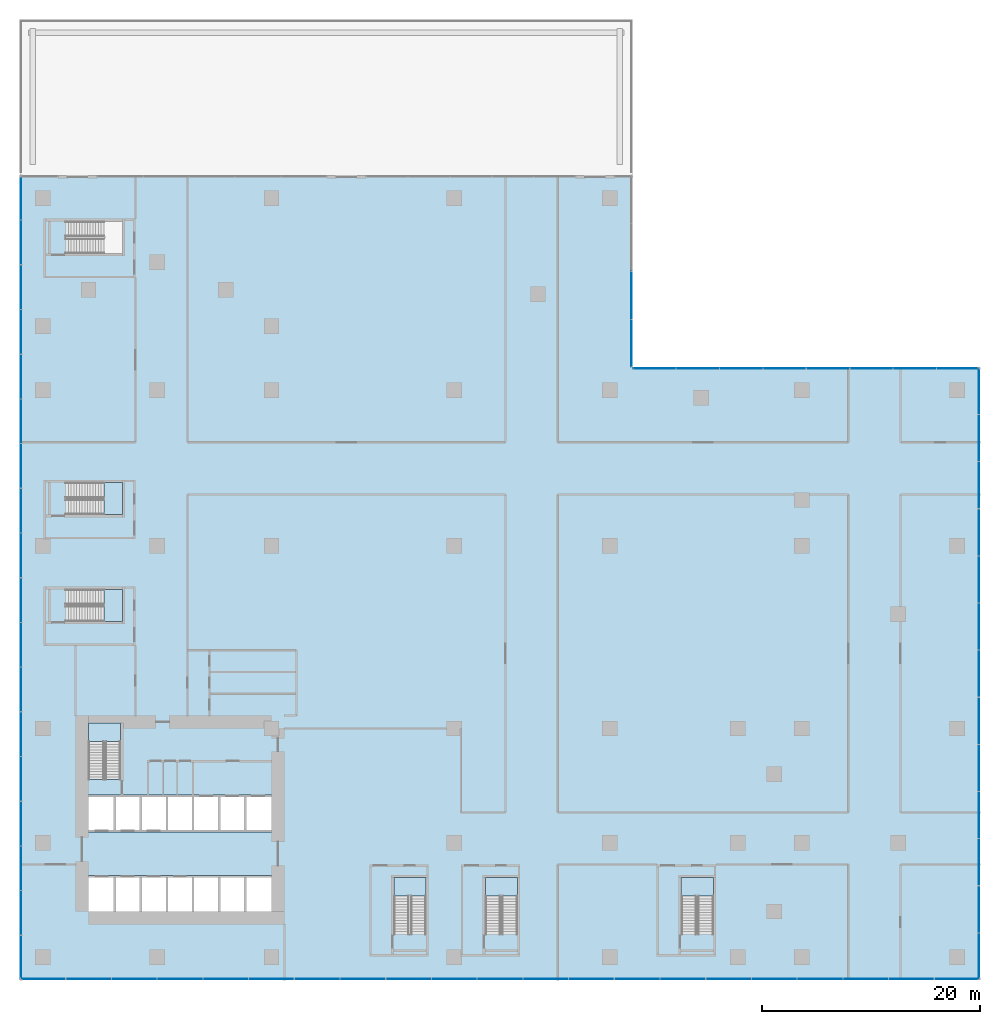
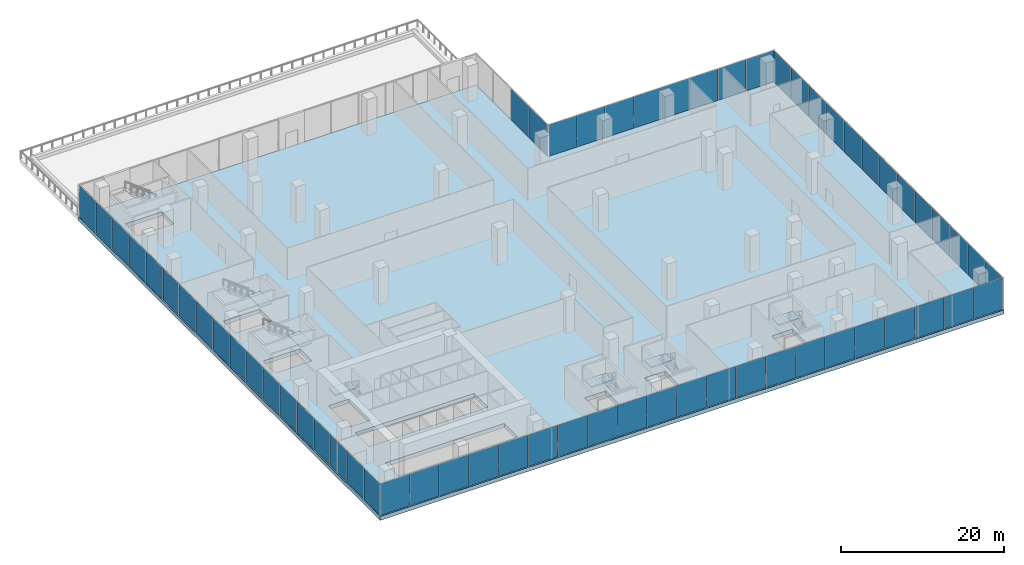
# One storey, part 12 of 24: 62 plates, 7 slabs, 11 elements without a shape of their own.
"""IFC4 building model written with IfcOpenShell, lengths in metres."""

from ifc_helpers import new_model, si_unit, direction, frame, origin, origin_2d, place, context, subcontext, project, spatial, polyline, rectangle, outline, extrude, source, transform, mapped, material, layer, layer_set, type_object, element, aggregate, save


model = new_model("IFC4")

# Units and contexts
model_context = context("Model", 3, precision=1e-05, world=origin(), true_north=direction((0.0, 1.0)))
body_context = subcontext(model_context, "Body", "Model", "MODEL_VIEW")
ifc_project = project(units=[si_unit("LENGTHUNIT", "METRE"), si_unit("AREAUNIT", "SQUARE_METRE"), si_unit("VOLUMEUNIT", "CUBIC_METRE"), si_unit("PLANEANGLEUNIT", "RADIAN"), si_unit("MASSUNIT", "GRAM", prefix="KILO")], contexts=[model_context])

# Site, building, storey
site_placement = place(None, origin())
site = spatial("IfcSite", under=ifc_project, at=site_placement, CompositionType="ELEMENT")
building_placement = place(site_placement, origin())
building = spatial("IfcBuilding", under=site, at=building_placement, Name="Aurelian Terraces", CompositionType="ELEMENT")
storey_placement = place(building_placement, frame((0.0, 0.0, 12.9)))
storey = spatial("IfcBuildingStorey", under=building, at=storey_placement, Name="L02", CompositionType="ELEMENT", Elevation=12.9)

# Slab
ifc_material_1 = material(Name="Concrete fc' 40 MPa", Category="concrete")
ifc_layer_1 = layer(ifc_material_1, 0.6)
ifc_layer_set_1 = layer_set([ifc_layer_1], Name="PT FLAT PLATE 600")
slab_type_1 = type_object("IfcSlabType", Name="PT FLAT PLATE 600", PredefinedType="FLOOR", material=ifc_layer_set_1)
slab_1_placement = place(storey_placement, frame((0.0, 0.0, -0.6)))
element("IfcSlab", 1, at=slab_1_placement, inside=storey, type_object=slab_type_1, Name="Floor slab P L02", PredefinedType="FLOOR", context=body_context, shape_type="SweptSolid", body=[
    extrude(outline(polyline([(86.1, -2.1), (54.18, -2.1), (-2.1, -2.1), (-2.1, 54.18), (-2.1, 71.82), (54.18, 71.82), (54.18, 54.18), (86.1, 54.18), (86.1, -2.1)]), holes=[polyline([(58.66, 7.29), (58.66, 2.11), (61.59, 2.11), (61.59, 7.29), (58.66, 7.29)]), polyline([(40.66, 7.29), (40.66, 2.11), (43.59, 2.11), (43.59, 7.29), (40.66, 7.29)]), polyline([(32.26, 7.29), (32.26, 2.11), (35.19, 2.11), (35.19, 7.29), (32.26, 7.29)]), polyline([(4.21, 7.49), (4.21, 4.21), (20.99, 4.21), (20.99, 7.49), (4.21, 7.49)]), polyline([(4.21, 14.89), (4.21, 11.51), (20.99, 11.51), (20.99, 14.89), (4.21, 14.89)]), polyline([(7.29, 40.66), (7.29, 43.59), (2.11, 43.59), (2.11, 40.66), (7.29, 40.66)]), polyline([(7.29, 64.66), (7.29, 67.59), (2.11, 67.59), (2.11, 64.66), (7.29, 64.66)]), polyline([(7.29, 33.79), (2.11, 33.79), (2.11, 30.86), (7.29, 30.86), (7.29, 33.79)]), polyline([(4.21, 21.49), (4.21, 16.31), (7.14, 16.31), (7.14, 21.49), (4.21, 21.49)])]), origin(), (0.0, 0.0, 1.0), 0.6),
])

# Curtain wall, plates
ifc_material_2 = material(Name="Anodised aluminium and clear glazing", Category="aluminium")
ifc_layer_2 = layer(ifc_material_2, 0.2)
ifc_layer_set_2 = layer_set([ifc_layer_2], Name="Winter garden glazing curtain wall")
curtain_wall_type = type_object("IfcCurtainWallType", Name="Winter garden glazing curtain wall", PredefinedType="NOTDEFINED", material=ifc_layer_set_2)
curtain_wall_1_placement = place(storey_placement, origin())
curtain_wall_1 = element("IfcCurtainWall", 2, at=curtain_wall_1_placement, inside=storey, type_object=curtain_wall_type, Name="Winter garden glazing L02 F04.1", PredefinedType="NOTDEFINED")
ifc_material_3 = material(Name="Clear glazing", Category="glass")
ifc_layer_3 = layer(ifc_material_3, 0.028)
ifc_layer_set_3 = layer_set([ifc_layer_3], Name="Winter garden glazing glazing panel")
plate_type = type_object("IfcPlateType", Name="Winter garden glazing glazing panel", PredefinedType="CURTAIN_PANEL", material=ifc_layer_set_3)
plate_1_placement = place(storey_placement, frame((54.08, 56.4, 0.06), z_axis=(0.0, 0.0, 1.0), x_axis=(0.0, 1.0, 0.0)))
plate_1 = element("IfcPlate", 3, at=plate_1_placement, type_object=plate_type, Name="CW6 panel 1.1", PredefinedType="CURTAIN_PANEL", context=body_context, shape_type="SweptSolid", body=[
    extrude(rectangle(XDim=4.32, YDim=0.028, at=origin_2d()), origin(), (0.0, 0.0, 1.0), 4.68),
])
plate_2_placement = place(storey_placement, frame((54.08, 60.795, 0.06), z_axis=(0.0, 0.0, 1.0), x_axis=(0.0, 1.0, 0.0)))
plate_2 = element("IfcPlate", 4, at=plate_2_placement, type_object=plate_type, Name="CW6 panel 2.1", PredefinedType="CURTAIN_PANEL", context=body_context, shape_type="SweptSolid", body=[
    extrude(rectangle(XDim=4.35, YDim=0.028, at=origin_2d()), origin(), (0.0, 0.0, 1.0), 4.68),
])
aggregate(curtain_wall_1, [plate_1, plate_2])

curtain_wall_2_placement = place(storey_placement, origin())
curtain_wall_2 = element("IfcCurtainWall", 5, at=curtain_wall_2_placement, inside=storey, type_object=curtain_wall_type, Name="Winter garden glazing L02 F06.1", PredefinedType="NOTDEFINED")
plate_3_placement = place(storey_placement, frame((-2.0, 69.7517, 0.06), z_axis=(0.0, 0.0, 1.0), x_axis=(0.0, -1.0, 0.0)))
plate_3 = element("IfcPlate", 6, at=plate_3_placement, type_object=plate_type, Name="CW6 panel 1.1", PredefinedType="CURTAIN_PANEL", context=body_context, shape_type="SweptSolid", body=[
    extrude(rectangle(XDim=4.0167, YDim=0.028, at=origin_2d()), origin(), (0.0, 0.0, 1.0), 4.68),
])
plate_4_placement = place(storey_placement, frame((-2.0, 65.66, 0.06), z_axis=(0.0, 0.0, 1.0), x_axis=(0.0, -1.0, 0.0)))
plate_4 = element("IfcPlate", 7, at=plate_4_placement, type_object=plate_type, Name="CW6 panel 2.1", PredefinedType="CURTAIN_PANEL", context=body_context, shape_type="SweptSolid", body=[
    extrude(rectangle(XDim=4.0467, YDim=0.028, at=origin_2d()), origin(), (0.0, 0.0, 1.0), 4.68),
])

curtain_wall_3_placement = place(storey_placement, origin())
curtain_wall_3 = element("IfcCurtainWall", 8, at=curtain_wall_3_placement, inside=storey, type_object=curtain_wall_type, Name="Winter garden glazing L02 F01.1", PredefinedType="NOTDEFINED")
shared_shape_1 = source(origin(), body_context, "Body", "SweptSolid", [
    extrude(rectangle(XDim=4.14, YDim=0.028, at=origin_2d()), origin(), (0.0, 0.0, 1.0), 4.68),
])
plate_5_placement = place(storey_placement, frame((4.2, -2.0, 0.06), z_axis=(0.0, 0.0, 1.0), x_axis=(1.0, 0.0, 0.0)))
plate_5 = element("IfcPlate", 9, at=plate_5_placement, type_object=plate_type, Name="CW6 panel 2.1", PredefinedType="CURTAIN_PANEL", context=body_context, shape_type="MappedRepresentation", body=[
    mapped(shared_shape_1, transform((0.0, 0.0, 0.0), scale=1.0)),
])
plate_6_placement = place(storey_placement, frame((8.4, -2.0, 0.06), z_axis=(0.0, 0.0, 1.0), x_axis=(1.0, 0.0, 0.0)))
plate_6 = element("IfcPlate", 10, at=plate_6_placement, type_object=plate_type, Name="CW6 panel 3.1", PredefinedType="CURTAIN_PANEL", context=body_context, shape_type="MappedRepresentation", body=[
    mapped(shared_shape_1, transform((0.0, 0.0, 0.0), scale=1.0)),
])
plate_7_placement = place(storey_placement, frame((12.6, -2.0, 0.06), z_axis=(0.0, 0.0, 1.0), x_axis=(1.0, 0.0, 0.0)))
plate_7 = element("IfcPlate", 11, at=plate_7_placement, type_object=plate_type, Name="CW6 panel 4.1", PredefinedType="CURTAIN_PANEL", context=body_context, shape_type="MappedRepresentation", body=[
    mapped(shared_shape_1, transform((0.0, 0.0, 0.0), scale=1.0)),
])
plate_8_placement = place(storey_placement, frame((16.8, -2.0, 0.06), z_axis=(0.0, 0.0, 1.0), x_axis=(1.0, 0.0, 0.0)))
plate_8 = element("IfcPlate", 12, at=plate_8_placement, type_object=plate_type, Name="CW6 panel 5.1", PredefinedType="CURTAIN_PANEL", context=body_context, shape_type="MappedRepresentation", body=[
    mapped(shared_shape_1, transform((0.0, 0.0, 0.0), scale=1.0)),
])
plate_9_placement = place(storey_placement, frame((21.0, -2.0, 0.06), z_axis=(0.0, 0.0, 1.0), x_axis=(1.0, 0.0, 0.0)))
plate_9 = element("IfcPlate", 13, at=plate_9_placement, type_object=plate_type, Name="CW6 panel 6.1", PredefinedType="CURTAIN_PANEL", context=body_context, shape_type="MappedRepresentation", body=[
    mapped(shared_shape_1, transform((0.0, 0.0, 0.0), scale=1.0)),
])
plate_10_placement = place(storey_placement, frame((25.2, -2.0, 0.06), z_axis=(0.0, 0.0, 1.0), x_axis=(1.0, 0.0, 0.0)))
plate_10 = element("IfcPlate", 14, at=plate_10_placement, type_object=plate_type, Name="CW6 panel 7.1", PredefinedType="CURTAIN_PANEL", context=body_context, shape_type="MappedRepresentation", body=[
    mapped(shared_shape_1, transform((0.0, 0.0, 0.0), scale=1.0)),
])
plate_11_placement = place(storey_placement, frame((29.4, -2.0, 0.06), z_axis=(0.0, 0.0, 1.0), x_axis=(1.0, 0.0, 0.0)))
plate_11 = element("IfcPlate", 15, at=plate_11_placement, type_object=plate_type, Name="CW6 panel 8.1", PredefinedType="CURTAIN_PANEL", context=body_context, shape_type="MappedRepresentation", body=[
    mapped(shared_shape_1, transform((0.0, 0.0, 0.0), scale=1.0)),
])
plate_12_placement = place(storey_placement, frame((33.6, -2.0, 0.06), z_axis=(0.0, 0.0, 1.0), x_axis=(1.0, 0.0, 0.0)))
plate_12 = element("IfcPlate", 16, at=plate_12_placement, type_object=plate_type, Name="CW6 panel 9.1", PredefinedType="CURTAIN_PANEL", context=body_context, shape_type="MappedRepresentation", body=[
    mapped(shared_shape_1, transform((0.0, 0.0, 0.0), scale=1.0)),
])
plate_13_placement = place(storey_placement, frame((37.8, -2.0, 0.06), z_axis=(0.0, 0.0, 1.0), x_axis=(1.0, 0.0, 0.0)))
plate_13 = element("IfcPlate", 17, at=plate_13_placement, type_object=plate_type, Name="CW6 panel 10.1", PredefinedType="CURTAIN_PANEL", context=body_context, shape_type="MappedRepresentation", body=[
    mapped(shared_shape_1, transform((0.0, 0.0, 0.0), scale=1.0)),
])
plate_14_placement = place(storey_placement, frame((42.0, -2.0, 0.06), z_axis=(0.0, 0.0, 1.0), x_axis=(1.0, 0.0, 0.0)))
plate_14 = element("IfcPlate", 18, at=plate_14_placement, type_object=plate_type, Name="CW6 panel 11.1", PredefinedType="CURTAIN_PANEL", context=body_context, shape_type="MappedRepresentation", body=[
    mapped(shared_shape_1, transform((0.0, 0.0, 0.0), scale=1.0)),
])
plate_15_placement = place(storey_placement, frame((46.2, -2.0, 0.06), z_axis=(0.0, 0.0, 1.0), x_axis=(1.0, 0.0, 0.0)))
plate_15 = element("IfcPlate", 19, at=plate_15_placement, type_object=plate_type, Name="CW6 panel 12.1", PredefinedType="CURTAIN_PANEL", context=body_context, shape_type="MappedRepresentation", body=[
    mapped(shared_shape_1, transform((0.0, 0.0, 0.0), scale=1.0)),
])
plate_16_placement = place(storey_placement, frame((50.4, -2.0, 0.06), z_axis=(0.0, 0.0, 1.0), x_axis=(1.0, 0.0, 0.0)))
plate_16 = element("IfcPlate", 20, at=plate_16_placement, type_object=plate_type, Name="CW6 panel 13.1", PredefinedType="CURTAIN_PANEL", context=body_context, shape_type="MappedRepresentation", body=[
    mapped(shared_shape_1, transform((0.0, 0.0, 0.0), scale=1.0)),
])
plate_17_placement = place(storey_placement, frame((54.6, -2.0, 0.06), z_axis=(0.0, 0.0, 1.0), x_axis=(1.0, 0.0, 0.0)))
plate_17 = element("IfcPlate", 21, at=plate_17_placement, type_object=plate_type, Name="CW6 panel 14.1", PredefinedType="CURTAIN_PANEL", context=body_context, shape_type="MappedRepresentation", body=[
    mapped(shared_shape_1, transform((0.0, 0.0, 0.0), scale=1.0)),
])
plate_18_placement = place(storey_placement, frame((58.8, -2.0, 0.06), z_axis=(0.0, 0.0, 1.0), x_axis=(1.0, 0.0, 0.0)))
plate_18 = element("IfcPlate", 22, at=plate_18_placement, type_object=plate_type, Name="CW6 panel 15.1", PredefinedType="CURTAIN_PANEL", context=body_context, shape_type="MappedRepresentation", body=[
    mapped(shared_shape_1, transform((0.0, 0.0, 0.0), scale=1.0)),
])
plate_19_placement = place(storey_placement, frame((63.0, -2.0, 0.06), z_axis=(0.0, 0.0, 1.0), x_axis=(1.0, 0.0, 0.0)))
plate_19 = element("IfcPlate", 23, at=plate_19_placement, type_object=plate_type, Name="CW6 panel 16.1", PredefinedType="CURTAIN_PANEL", context=body_context, shape_type="MappedRepresentation", body=[
    mapped(shared_shape_1, transform((0.0, 0.0, 0.0), scale=1.0)),
])
plate_20_placement = place(storey_placement, frame((67.2, -2.0, 0.06), z_axis=(0.0, 0.0, 1.0), x_axis=(1.0, 0.0, 0.0)))
plate_20 = element("IfcPlate", 24, at=plate_20_placement, type_object=plate_type, Name="CW6 panel 17.1", PredefinedType="CURTAIN_PANEL", context=body_context, shape_type="MappedRepresentation", body=[
    mapped(shared_shape_1, transform((0.0, 0.0, 0.0), scale=1.0)),
])
plate_21_placement = place(storey_placement, frame((71.4, -2.0, 0.06), z_axis=(0.0, 0.0, 1.0), x_axis=(1.0, 0.0, 0.0)))
plate_21 = element("IfcPlate", 25, at=plate_21_placement, type_object=plate_type, Name="CW6 panel 18.1", PredefinedType="CURTAIN_PANEL", context=body_context, shape_type="MappedRepresentation", body=[
    mapped(shared_shape_1, transform((0.0, 0.0, 0.0), scale=1.0)),
])
plate_22_placement = place(storey_placement, frame((75.6, -2.0, 0.06), z_axis=(0.0, 0.0, 1.0), x_axis=(1.0, 0.0, 0.0)))
plate_22 = element("IfcPlate", 26, at=plate_22_placement, type_object=plate_type, Name="CW6 panel 19.1", PredefinedType="CURTAIN_PANEL", context=body_context, shape_type="MappedRepresentation", body=[
    mapped(shared_shape_1, transform((0.0, 0.0, 0.0), scale=1.0)),
])
plate_23_placement = place(storey_placement, frame((79.8, -2.0, 0.06), z_axis=(0.0, 0.0, 1.0), x_axis=(1.0, 0.0, 0.0)))
plate_23 = element("IfcPlate", 27, at=plate_23_placement, type_object=plate_type, Name="CW6 panel 20.1", PredefinedType="CURTAIN_PANEL", context=body_context, shape_type="MappedRepresentation", body=[
    mapped(shared_shape_1, transform((0.0, 0.0, 0.0), scale=1.0)),
])
shared_shape_2 = source(origin(), body_context, "Body", "SweptSolid", [
    extrude(rectangle(XDim=4.11, YDim=0.028, at=origin_2d()), origin(), (0.0, 0.0, 1.0), 4.68),
])
plate_24_placement = place(storey_placement, frame((0.015, -2.0, 0.06), z_axis=(0.0, 0.0, 1.0), x_axis=(1.0, 0.0, 0.0)))
plate_24 = element("IfcPlate", 28, at=plate_24_placement, type_object=plate_type, Name="CW6 panel 1.1", PredefinedType="CURTAIN_PANEL", context=body_context, shape_type="MappedRepresentation", body=[
    mapped(shared_shape_2, transform((0.0, 0.0, 0.0), scale=1.0)),
])
plate_25_placement = place(storey_placement, frame((83.985, -2.0, 0.06), z_axis=(0.0, 0.0, 1.0), x_axis=(1.0, 0.0, 0.0)))
plate_25 = element("IfcPlate", 29, at=plate_25_placement, type_object=plate_type, Name="CW6 panel 21.1", PredefinedType="CURTAIN_PANEL", context=body_context, shape_type="MappedRepresentation", body=[
    mapped(shared_shape_2, transform((0.0, 0.0, 0.0), scale=1.0)),
])
aggregate(curtain_wall_3, [plate_24, plate_5, plate_6, plate_7, plate_8, plate_9, plate_10, plate_11, plate_12, plate_13, plate_14, plate_15, plate_16, plate_17, plate_18, plate_19, plate_20, plate_21, plate_22, plate_23, plate_25])

curtain_wall_4_placement = place(storey_placement, origin())
curtain_wall_4 = element("IfcCurtainWall", 30, at=curtain_wall_4_placement, inside=storey, type_object=curtain_wall_type, Name="Winter garden glazing L02 F02.1", PredefinedType="NOTDEFINED")
shared_shape_3 = source(origin(), body_context, "Body", "SweptSolid", [
    extrude(rectangle(XDim=4.2692, YDim=0.028, at=origin_2d()), origin(), (0.0, 0.0, 1.0), 4.68),
])
plate_26_placement = place(storey_placement, frame((86.0, 4.3938, 0.06), z_axis=(0.0, 0.0, 1.0), x_axis=(0.0, 1.0, 0.0)))
plate_26 = element("IfcPlate", 31, at=plate_26_placement, type_object=plate_type, Name="CW6 panel 2.1", PredefinedType="CURTAIN_PANEL", context=body_context, shape_type="MappedRepresentation", body=[
    mapped(shared_shape_3, transform((0.0, 0.0, 0.0), scale=1.0)),
])
plate_27_placement = place(storey_placement, frame((86.0, 8.7231, 0.06), z_axis=(0.0, 0.0, 1.0), x_axis=(0.0, 1.0, 0.0)))
plate_27 = element("IfcPlate", 32, at=plate_27_placement, type_object=plate_type, Name="CW6 panel 3.1", PredefinedType="CURTAIN_PANEL", context=body_context, shape_type="MappedRepresentation", body=[
    mapped(shared_shape_3, transform((0.0, 0.0, 0.0), scale=1.0)),
])
plate_28_placement = place(storey_placement, frame((86.0, 13.0523, 0.06), z_axis=(0.0, 0.0, 1.0), x_axis=(0.0, 1.0, 0.0)))
plate_28 = element("IfcPlate", 33, at=plate_28_placement, type_object=plate_type, Name="CW6 panel 4.1", PredefinedType="CURTAIN_PANEL", context=body_context, shape_type="MappedRepresentation", body=[
    mapped(shared_shape_3, transform((0.0, 0.0, 0.0), scale=1.0)),
])
plate_29_placement = place(storey_placement, frame((86.0, 17.3815, 0.06), z_axis=(0.0, 0.0, 1.0), x_axis=(0.0, 1.0, 0.0)))
plate_29 = element("IfcPlate", 34, at=plate_29_placement, type_object=plate_type, Name="CW6 panel 5.1", PredefinedType="CURTAIN_PANEL", context=body_context, shape_type="MappedRepresentation", body=[
    mapped(shared_shape_3, transform((0.0, 0.0, 0.0), scale=1.0)),
])
plate_30_placement = place(storey_placement, frame((86.0, 21.7108, 0.06), z_axis=(0.0, 0.0, 1.0), x_axis=(0.0, 1.0, 0.0)))
plate_30 = element("IfcPlate", 35, at=plate_30_placement, type_object=plate_type, Name="CW6 panel 6.1", PredefinedType="CURTAIN_PANEL", context=body_context, shape_type="MappedRepresentation", body=[
    mapped(shared_shape_3, transform((0.0, 0.0, 0.0), scale=1.0)),
])
plate_31_placement = place(storey_placement, frame((86.0, 26.04, 0.06), z_axis=(0.0, 0.0, 1.0), x_axis=(0.0, 1.0, 0.0)))
plate_31 = element("IfcPlate", 36, at=plate_31_placement, type_object=plate_type, Name="CW6 panel 7.1", PredefinedType="CURTAIN_PANEL", context=body_context, shape_type="MappedRepresentation", body=[
    mapped(shared_shape_3, transform((0.0, 0.0, 0.0), scale=1.0)),
])
plate_32_placement = place(storey_placement, frame((86.0, 30.3692, 0.06), z_axis=(0.0, 0.0, 1.0), x_axis=(0.0, 1.0, 0.0)))
plate_32 = element("IfcPlate", 37, at=plate_32_placement, type_object=plate_type, Name="CW6 panel 8.1", PredefinedType="CURTAIN_PANEL", context=body_context, shape_type="MappedRepresentation", body=[
    mapped(shared_shape_3, transform((0.0, 0.0, 0.0), scale=1.0)),
])
plate_33_placement = place(storey_placement, frame((86.0, 34.6985, 0.06), z_axis=(0.0, 0.0, 1.0), x_axis=(0.0, 1.0, 0.0)))
plate_33 = element("IfcPlate", 38, at=plate_33_placement, type_object=plate_type, Name="CW6 panel 9.1", PredefinedType="CURTAIN_PANEL", context=body_context, shape_type="MappedRepresentation", body=[
    mapped(shared_shape_3, transform((0.0, 0.0, 0.0), scale=1.0)),
])
plate_34_placement = place(storey_placement, frame((86.0, 39.0277, 0.06), z_axis=(0.0, 0.0, 1.0), x_axis=(0.0, 1.0, 0.0)))
plate_34 = element("IfcPlate", 39, at=plate_34_placement, type_object=plate_type, Name="CW6 panel 10.1", PredefinedType="CURTAIN_PANEL", context=body_context, shape_type="MappedRepresentation", body=[
    mapped(shared_shape_3, transform((0.0, 0.0, 0.0), scale=1.0)),
])
plate_35_placement = place(storey_placement, frame((86.0, 43.3569, 0.06), z_axis=(0.0, 0.0, 1.0), x_axis=(0.0, 1.0, 0.0)))
plate_35 = element("IfcPlate", 40, at=plate_35_placement, type_object=plate_type, Name="CW6 panel 11.1", PredefinedType="CURTAIN_PANEL", context=body_context, shape_type="MappedRepresentation", body=[
    mapped(shared_shape_3, transform((0.0, 0.0, 0.0), scale=1.0)),
])
plate_36_placement = place(storey_placement, frame((86.0, 47.6862, 0.06), z_axis=(0.0, 0.0, 1.0), x_axis=(0.0, 1.0, 0.0)))
plate_36 = element("IfcPlate", 41, at=plate_36_placement, type_object=plate_type, Name="CW6 panel 12.1", PredefinedType="CURTAIN_PANEL", context=body_context, shape_type="MappedRepresentation", body=[
    mapped(shared_shape_3, transform((0.0, 0.0, 0.0), scale=1.0)),
])
shared_shape_4 = source(origin(), body_context, "Body", "SweptSolid", [
    extrude(rectangle(XDim=4.2392, YDim=0.028, at=origin_2d()), origin(), (0.0, 0.0, 1.0), 4.68),
])
plate_37_placement = place(storey_placement, frame((86.0, 0.0796, 0.06), z_axis=(0.0, 0.0, 1.0), x_axis=(0.0, 1.0, 0.0)))
plate_37 = element("IfcPlate", 42, at=plate_37_placement, type_object=plate_type, Name="CW6 panel 1.1", PredefinedType="CURTAIN_PANEL", context=body_context, shape_type="MappedRepresentation", body=[
    mapped(shared_shape_4, transform((0.0, 0.0, 0.0), scale=1.0)),
])
plate_38_placement = place(storey_placement, frame((86.0, 52.0004, 0.06), z_axis=(0.0, 0.0, 1.0), x_axis=(0.0, 1.0, 0.0)))
plate_38 = element("IfcPlate", 43, at=plate_38_placement, type_object=plate_type, Name="CW6 panel 13.1", PredefinedType="CURTAIN_PANEL", context=body_context, shape_type="MappedRepresentation", body=[
    mapped(shared_shape_4, transform((0.0, 0.0, 0.0), scale=1.0)),
])
aggregate(curtain_wall_4, [plate_37, plate_26, plate_27, plate_28, plate_29, plate_30, plate_31, plate_32, plate_33, plate_34, plate_35, plate_36, plate_38])

curtain_wall_5_placement = place(storey_placement, origin())
curtain_wall_5 = element("IfcCurtainWall", 44, at=curtain_wall_5_placement, inside=storey, type_object=curtain_wall_type, Name="Winter garden glazing L02 F03.1", PredefinedType="NOTDEFINED")
shared_shape_5 = source(origin(), body_context, "Body", "SweptSolid", [
    extrude(rectangle(XDim=3.93, YDim=0.028, at=origin_2d()), origin(), (0.0, 0.0, 1.0), 4.68),
])
plate_39_placement = place(storey_placement, frame((80.115, 54.08, 0.06), z_axis=(0.0, 0.0, 1.0), x_axis=(-1.0, 0.0, 0.0)))
plate_39 = element("IfcPlate", 45, at=plate_39_placement, type_object=plate_type, Name="CW6 panel 2.1", PredefinedType="CURTAIN_PANEL", context=body_context, shape_type="MappedRepresentation", body=[
    mapped(shared_shape_5, transform((0.0, 0.0, 0.0), scale=1.0)),
])
plate_40_placement = place(storey_placement, frame((76.125, 54.08, 0.06), z_axis=(0.0, 0.0, 1.0), x_axis=(-1.0, 0.0, 0.0)))
plate_40 = element("IfcPlate", 46, at=plate_40_placement, type_object=plate_type, Name="CW6 panel 3.1", PredefinedType="CURTAIN_PANEL", context=body_context, shape_type="MappedRepresentation", body=[
    mapped(shared_shape_5, transform((0.0, 0.0, 0.0), scale=1.0)),
])
plate_41_placement = place(storey_placement, frame((72.135, 54.08, 0.06), z_axis=(0.0, 0.0, 1.0), x_axis=(-1.0, 0.0, 0.0)))
plate_41 = element("IfcPlate", 47, at=plate_41_placement, type_object=plate_type, Name="CW6 panel 4.1", PredefinedType="CURTAIN_PANEL", context=body_context, shape_type="MappedRepresentation", body=[
    mapped(shared_shape_5, transform((0.0, 0.0, 0.0), scale=1.0)),
])
plate_42_placement = place(storey_placement, frame((68.145, 54.08, 0.06), z_axis=(0.0, 0.0, 1.0), x_axis=(-1.0, 0.0, 0.0)))
plate_42 = element("IfcPlate", 48, at=plate_42_placement, type_object=plate_type, Name="CW6 panel 5.1", PredefinedType="CURTAIN_PANEL", context=body_context, shape_type="MappedRepresentation", body=[
    mapped(shared_shape_5, transform((0.0, 0.0, 0.0), scale=1.0)),
])
plate_43_placement = place(storey_placement, frame((64.155, 54.08, 0.06), z_axis=(0.0, 0.0, 1.0), x_axis=(-1.0, 0.0, 0.0)))
plate_43 = element("IfcPlate", 49, at=plate_43_placement, type_object=plate_type, Name="CW6 panel 6.1", PredefinedType="CURTAIN_PANEL", context=body_context, shape_type="MappedRepresentation", body=[
    mapped(shared_shape_5, transform((0.0, 0.0, 0.0), scale=1.0)),
])
plate_44_placement = place(storey_placement, frame((60.165, 54.08, 0.06), z_axis=(0.0, 0.0, 1.0), x_axis=(-1.0, 0.0, 0.0)))
plate_44 = element("IfcPlate", 50, at=plate_44_placement, type_object=plate_type, Name="CW6 panel 7.1", PredefinedType="CURTAIN_PANEL", context=body_context, shape_type="MappedRepresentation", body=[
    mapped(shared_shape_5, transform((0.0, 0.0, 0.0), scale=1.0)),
])
shared_shape_6 = source(origin(), body_context, "Body", "SweptSolid", [
    extrude(rectangle(XDim=3.9, YDim=0.028, at=origin_2d()), origin(), (0.0, 0.0, 1.0), 4.68),
])
plate_45_placement = place(storey_placement, frame((84.09, 54.08, 0.06), z_axis=(0.0, 0.0, 1.0), x_axis=(-1.0, 0.0, 0.0)))
plate_45 = element("IfcPlate", 51, at=plate_45_placement, type_object=plate_type, Name="CW6 panel 1.1", PredefinedType="CURTAIN_PANEL", context=body_context, shape_type="MappedRepresentation", body=[
    mapped(shared_shape_6, transform((0.0, 0.0, 0.0), scale=1.0)),
])
plate_46_placement = place(storey_placement, frame((56.19, 54.08, 0.06), z_axis=(0.0, 0.0, 1.0), x_axis=(-1.0, 0.0, 0.0)))
plate_46 = element("IfcPlate", 52, at=plate_46_placement, type_object=plate_type, Name="CW6 panel 8.1", PredefinedType="CURTAIN_PANEL", context=body_context, shape_type="MappedRepresentation", body=[
    mapped(shared_shape_6, transform((0.0, 0.0, 0.0), scale=1.0)),
])
aggregate(curtain_wall_5, [plate_45, plate_39, plate_40, plate_41, plate_42, plate_43, plate_44, plate_46])

# Plate
shared_shape_7 = source(origin(), body_context, "Body", "SweptSolid", [
    extrude(rectangle(XDim=4.0467, YDim=0.028, at=origin_2d()), origin(), (0.0, 0.0, 1.0), 4.68),
])
plate_47_placement = place(storey_placement, frame((-2.0, 61.5533, 0.06), z_axis=(0.0, 0.0, 1.0), x_axis=(0.0, -1.0, 0.0)))
plate_47 = element("IfcPlate", 53, at=plate_47_placement, type_object=plate_type, Name="CW6 panel 3.1", PredefinedType="CURTAIN_PANEL", context=body_context, shape_type="MappedRepresentation", body=[
    mapped(shared_shape_7, transform((0.0, 0.0, 0.0), scale=1.0)),
])

plate_48_placement = place(storey_placement, frame((-2.0, 57.4467, 0.06), z_axis=(0.0, 0.0, 1.0), x_axis=(0.0, -1.0, 0.0)))
plate_48 = element("IfcPlate", 54, at=plate_48_placement, type_object=plate_type, Name="CW6 panel 4.1", PredefinedType="CURTAIN_PANEL", context=body_context, shape_type="MappedRepresentation", body=[
    mapped(shared_shape_7, transform((0.0, 0.0, 0.0), scale=1.0)),
])

plate_49_placement = place(storey_placement, frame((-2.0, 53.34, 0.06), z_axis=(0.0, 0.0, 1.0), x_axis=(0.0, -1.0, 0.0)))
plate_49 = element("IfcPlate", 55, at=plate_49_placement, type_object=plate_type, Name="CW6 panel 5.1", PredefinedType="CURTAIN_PANEL", context=body_context, shape_type="MappedRepresentation", body=[
    mapped(shared_shape_7, transform((0.0, 0.0, 0.0), scale=1.0)),
])

plate_50_placement = place(storey_placement, frame((-2.0, 49.2333, 0.06), z_axis=(0.0, 0.0, 1.0), x_axis=(0.0, -1.0, 0.0)))
plate_50 = element("IfcPlate", 56, at=plate_50_placement, type_object=plate_type, Name="CW6 panel 6.1", PredefinedType="CURTAIN_PANEL", context=body_context, shape_type="MappedRepresentation", body=[
    mapped(shared_shape_7, transform((0.0, 0.0, 0.0), scale=1.0)),
])

plate_51_placement = place(storey_placement, frame((-2.0, 45.1267, 0.06), z_axis=(0.0, 0.0, 1.0), x_axis=(0.0, -1.0, 0.0)))
plate_51 = element("IfcPlate", 57, at=plate_51_placement, type_object=plate_type, Name="CW6 panel 7.1", PredefinedType="CURTAIN_PANEL", context=body_context, shape_type="MappedRepresentation", body=[
    mapped(shared_shape_7, transform((0.0, 0.0, 0.0), scale=1.0)),
])

plate_52_placement = place(storey_placement, frame((-2.0, 41.02, 0.06), z_axis=(0.0, 0.0, 1.0), x_axis=(0.0, -1.0, 0.0)))
plate_52 = element("IfcPlate", 58, at=plate_52_placement, type_object=plate_type, Name="CW6 panel 8.1", PredefinedType="CURTAIN_PANEL", context=body_context, shape_type="MappedRepresentation", body=[
    mapped(shared_shape_7, transform((0.0, 0.0, 0.0), scale=1.0)),
])

plate_53_placement = place(storey_placement, frame((-2.0, 36.9133, 0.06), z_axis=(0.0, 0.0, 1.0), x_axis=(0.0, -1.0, 0.0)))
plate_53 = element("IfcPlate", 59, at=plate_53_placement, type_object=plate_type, Name="CW6 panel 9.1", PredefinedType="CURTAIN_PANEL", context=body_context, shape_type="MappedRepresentation", body=[
    mapped(shared_shape_7, transform((0.0, 0.0, 0.0), scale=1.0)),
])

plate_54_placement = place(storey_placement, frame((-2.0, 32.8067, 0.06), z_axis=(0.0, 0.0, 1.0), x_axis=(0.0, -1.0, 0.0)))
plate_54 = element("IfcPlate", 60, at=plate_54_placement, type_object=plate_type, Name="CW6 panel 10.1", PredefinedType="CURTAIN_PANEL", context=body_context, shape_type="MappedRepresentation", body=[
    mapped(shared_shape_7, transform((0.0, 0.0, 0.0), scale=1.0)),
])

plate_55_placement = place(storey_placement, frame((-2.0, 28.7, 0.06), z_axis=(0.0, 0.0, 1.0), x_axis=(0.0, -1.0, 0.0)))
plate_55 = element("IfcPlate", 61, at=plate_55_placement, type_object=plate_type, Name="CW6 panel 11.1", PredefinedType="CURTAIN_PANEL", context=body_context, shape_type="MappedRepresentation", body=[
    mapped(shared_shape_7, transform((0.0, 0.0, 0.0), scale=1.0)),
])

plate_56_placement = place(storey_placement, frame((-2.0, 24.5933, 0.06), z_axis=(0.0, 0.0, 1.0), x_axis=(0.0, -1.0, 0.0)))
plate_56 = element("IfcPlate", 62, at=plate_56_placement, type_object=plate_type, Name="CW6 panel 12.1", PredefinedType="CURTAIN_PANEL", context=body_context, shape_type="MappedRepresentation", body=[
    mapped(shared_shape_7, transform((0.0, 0.0, 0.0), scale=1.0)),
])

plate_57_placement = place(storey_placement, frame((-2.0, 20.4867, 0.06), z_axis=(0.0, 0.0, 1.0), x_axis=(0.0, -1.0, 0.0)))
plate_57 = element("IfcPlate", 63, at=plate_57_placement, type_object=plate_type, Name="CW6 panel 13.1", PredefinedType="CURTAIN_PANEL", context=body_context, shape_type="MappedRepresentation", body=[
    mapped(shared_shape_7, transform((0.0, 0.0, 0.0), scale=1.0)),
])

plate_58_placement = place(storey_placement, frame((-2.0, 16.38, 0.06), z_axis=(0.0, 0.0, 1.0), x_axis=(0.0, -1.0, 0.0)))
plate_58 = element("IfcPlate", 64, at=plate_58_placement, type_object=plate_type, Name="CW6 panel 14.1", PredefinedType="CURTAIN_PANEL", context=body_context, shape_type="MappedRepresentation", body=[
    mapped(shared_shape_7, transform((0.0, 0.0, 0.0), scale=1.0)),
])

plate_59_placement = place(storey_placement, frame((-2.0, 12.2733, 0.06), z_axis=(0.0, 0.0, 1.0), x_axis=(0.0, -1.0, 0.0)))
plate_59 = element("IfcPlate", 65, at=plate_59_placement, type_object=plate_type, Name="CW6 panel 15.1", PredefinedType="CURTAIN_PANEL", context=body_context, shape_type="MappedRepresentation", body=[
    mapped(shared_shape_7, transform((0.0, 0.0, 0.0), scale=1.0)),
])

plate_60_placement = place(storey_placement, frame((-2.0, 8.1667, 0.06), z_axis=(0.0, 0.0, 1.0), x_axis=(0.0, -1.0, 0.0)))
plate_60 = element("IfcPlate", 66, at=plate_60_placement, type_object=plate_type, Name="CW6 panel 16.1", PredefinedType="CURTAIN_PANEL", context=body_context, shape_type="MappedRepresentation", body=[
    mapped(shared_shape_7, transform((0.0, 0.0, 0.0), scale=1.0)),
])

plate_61_placement = place(storey_placement, frame((-2.0, 4.06, 0.06), z_axis=(0.0, 0.0, 1.0), x_axis=(0.0, -1.0, 0.0)))
plate_61 = element("IfcPlate", 67, at=plate_61_placement, type_object=plate_type, Name="CW6 panel 17.1", PredefinedType="CURTAIN_PANEL", context=body_context, shape_type="MappedRepresentation", body=[
    mapped(shared_shape_7, transform((0.0, 0.0, 0.0), scale=1.0)),
])

shared_shape_8 = source(origin(), body_context, "Body", "SweptSolid", [
    extrude(rectangle(XDim=4.0167, YDim=0.028, at=origin_2d()), origin(), (0.0, 0.0, 1.0), 4.68),
])
plate_62_placement = place(storey_placement, frame((-2.0, -0.0317, 0.06), z_axis=(0.0, 0.0, 1.0), x_axis=(0.0, -1.0, 0.0)))
plate_62 = element("IfcPlate", 68, at=plate_62_placement, type_object=plate_type, Name="CW6 panel 18.1", PredefinedType="CURTAIN_PANEL", context=body_context, shape_type="MappedRepresentation", body=[
    mapped(shared_shape_8, transform((0.0, 0.0, 0.0), scale=1.0)),
])

aggregate(curtain_wall_2, [plate_3, plate_4, plate_47, plate_48, plate_49, plate_50, plate_51, plate_52, plate_53, plate_54, plate_55, plate_56, plate_57, plate_58, plate_59, plate_60, plate_61, plate_62])

# Stair, slab
stair_type = type_object("IfcStairType", Name="Stair 1400", PredefinedType="HALF_TURN_STAIR", material=ifc_material_1)
stair_1_placement = place(storey_placement, origin())
stair_1 = element("IfcStair", 69, at=stair_1_placement, inside=storey, type_object=stair_type, Name="L02 S1", PredefinedType="HALF_TURN_STAIR")
ifc_layer_4 = layer(ifc_material_1, 0.2)
ifc_layer_set_4 = layer_set([ifc_layer_4], Name="Stair landing 200")
slab_type_2 = type_object("IfcSlabType", Name="Stair landing 200", PredefinedType="LANDING", material=ifc_layer_set_4)
shared_shape_9 = source(origin(), body_context, "Body", "SweptSolid", [
    extrude(outline(polyline([(7.15, 19.8), (7.15, 21.5), (4.2, 21.5), (4.2, 19.8), (7.15, 19.8)])), origin(), (0.0, 0.0, 1.0), 0.2),
])
slab_2_placement = place(storey_placement, frame((0.0, 0.0, 2.5)))
slab_2 = element("IfcSlab", 70, at=slab_2_placement, type_object=slab_type_2, Name="S1 landing 1", PredefinedType="LANDING", context=body_context, shape_type="MappedRepresentation", body=[
    mapped(shared_shape_9, transform((0.0, 0.0, 0.0), scale=1.0)),
])
aggregate(stair_1, [slab_2])

stair_2_placement = place(storey_placement, origin())
stair_2 = element("IfcStair", 71, at=stair_2_placement, inside=storey, type_object=stair_type, Name="L02 S2", PredefinedType="HALF_TURN_STAIR")
shared_shape_10 = source(origin(), body_context, "Body", "SweptSolid", [
    extrude(outline(polyline([(43.6, 5.6), (43.6, 7.3), (40.65, 7.3), (40.65, 5.6), (43.6, 5.6)])), origin(), (0.0, 0.0, 1.0), 0.2),
])
slab_3_placement = place(storey_placement, frame((0.0, 0.0, 2.5)))
slab_3 = element("IfcSlab", 72, at=slab_3_placement, type_object=slab_type_2, Name="S2 landing 1", PredefinedType="LANDING", context=body_context, shape_type="MappedRepresentation", body=[
    mapped(shared_shape_10, transform((0.0, 0.0, 0.0), scale=1.0)),
])
aggregate(stair_2, [slab_3])

stair_3_placement = place(storey_placement, origin())
stair_3 = element("IfcStair", 73, at=stair_3_placement, inside=storey, type_object=stair_type, Name="L02 S3", PredefinedType="HALF_TURN_STAIR")
shared_shape_11 = source(origin(), body_context, "Body", "SweptSolid", [
    extrude(outline(polyline([(5.6, 40.65), (7.3, 40.65), (7.3, 43.6), (5.6, 43.6), (5.6, 40.65)])), origin(), (0.0, 0.0, 1.0), 0.2),
])
slab_4_placement = place(storey_placement, frame((0.0, 0.0, 2.5)))
slab_4 = element("IfcSlab", 74, at=slab_4_placement, type_object=slab_type_2, Name="S3 landing 1", PredefinedType="LANDING", context=body_context, shape_type="MappedRepresentation", body=[
    mapped(shared_shape_11, transform((0.0, 0.0, 0.0), scale=1.0)),
])
aggregate(stair_3, [slab_4])

stair_4_placement = place(storey_placement, origin())
stair_4 = element("IfcStair", 75, at=stair_4_placement, inside=storey, type_object=stair_type, Name="L02 S4", PredefinedType="HALF_TURN_STAIR")
shared_shape_12 = source(origin(), body_context, "Body", "SweptSolid", [
    extrude(outline(polyline([(5.6, 30.85), (7.3, 30.85), (7.3, 33.8), (5.6, 33.8), (5.6, 30.85)])), origin(), (0.0, 0.0, 1.0), 0.2),
])
slab_5_placement = place(storey_placement, frame((0.0, 0.0, 2.5)))
slab_5 = element("IfcSlab", 76, at=slab_5_placement, type_object=slab_type_2, Name="S4 landing 1", PredefinedType="LANDING", context=body_context, shape_type="MappedRepresentation", body=[
    mapped(shared_shape_12, transform((0.0, 0.0, 0.0), scale=1.0)),
])
aggregate(stair_4, [slab_5])

stair_5_placement = place(storey_placement, origin())
stair_5 = element("IfcStair", 77, at=stair_5_placement, inside=storey, type_object=stair_type, Name="L02 S6", PredefinedType="HALF_TURN_STAIR")
shared_shape_13 = source(origin(), body_context, "Body", "SweptSolid", [
    extrude(outline(polyline([(61.6, 5.6), (61.6, 7.3), (58.65, 7.3), (58.65, 5.6), (61.6, 5.6)])), origin(), (0.0, 0.0, 1.0), 0.2),
])
slab_6_placement = place(storey_placement, frame((0.0, 0.0, 2.5)))
slab_6 = element("IfcSlab", 78, at=slab_6_placement, type_object=slab_type_2, Name="S6 landing 1", PredefinedType="LANDING", context=body_context, shape_type="MappedRepresentation", body=[
    mapped(shared_shape_13, transform((0.0, 0.0, 0.0), scale=1.0)),
])
aggregate(stair_5, [slab_6])

stair_6_placement = place(storey_placement, origin())
stair_6 = element("IfcStair", 79, at=stair_6_placement, inside=storey, type_object=stair_type, Name="L02 S7", PredefinedType="HALF_TURN_STAIR")
shared_shape_14 = source(origin(), body_context, "Body", "SweptSolid", [
    extrude(outline(polyline([(35.2, 5.6), (35.2, 7.3), (32.25, 7.3), (32.25, 5.6), (35.2, 5.6)])), origin(), (0.0, 0.0, 1.0), 0.2),
])
slab_7_placement = place(storey_placement, frame((0.0, 0.0, 2.5)))
slab_7 = element("IfcSlab", 80, at=slab_7_placement, type_object=slab_type_2, Name="S7 landing 1", PredefinedType="LANDING", context=body_context, shape_type="MappedRepresentation", body=[
    mapped(shared_shape_14, transform((0.0, 0.0, 0.0), scale=1.0)),
])
aggregate(stair_6, [slab_7])

save(model, "model.ifc")
